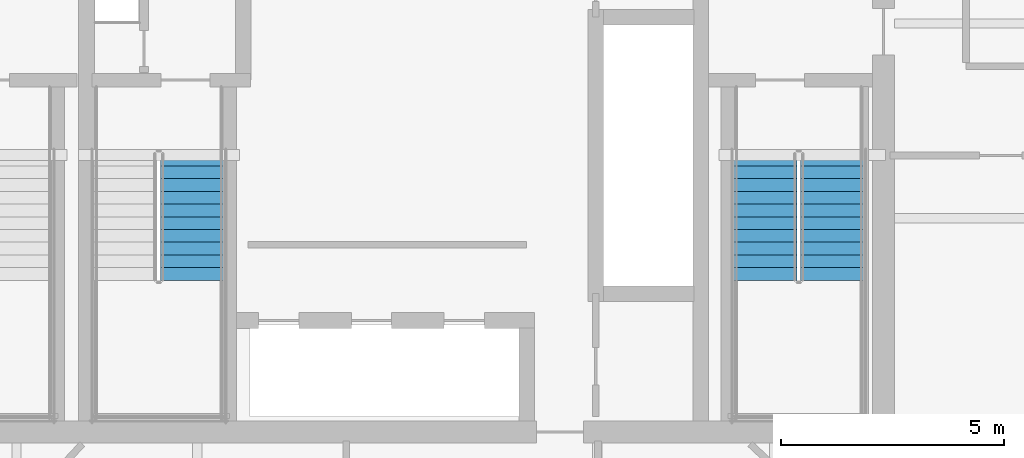
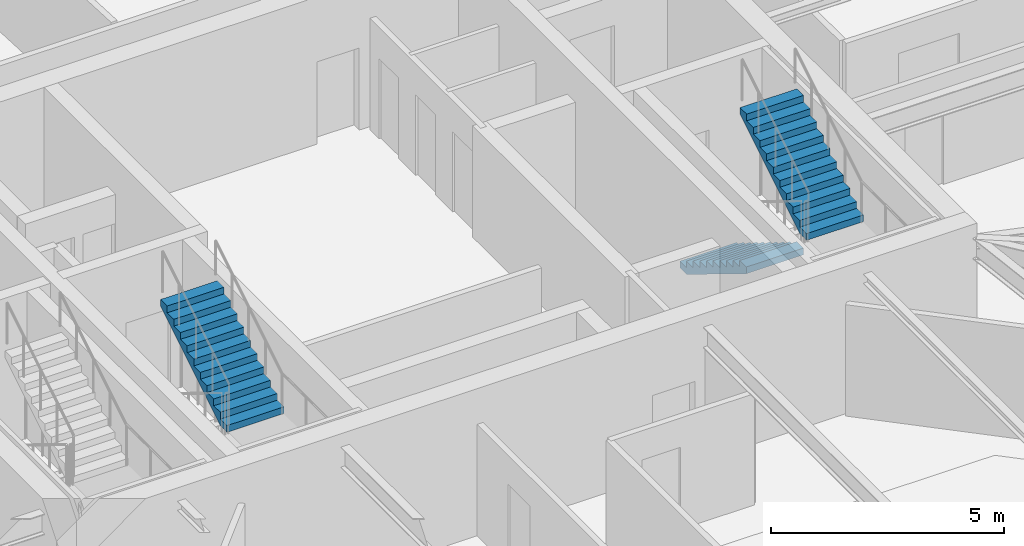
# One storey, part 15 of 18: 3 stair flights, 2 elements without a shape of their own.
"""IFC4 building model written with IfcOpenShell, lengths in metres."""

from ifc_helpers import new_model, si_unit, direction, frame, origin, place, context, subcontext, project, spatial, polyline, outline, extrude, material, type_object, element, aggregate, save


model = new_model("IFC4")

# Units and contexts
model_context = context("Model", 3, precision=1e-05, world=origin(), true_north=direction((0.0, 1.0)))
body_context = subcontext(model_context, "Body", "Model", "MODEL_VIEW")
ifc_project = project(units=[si_unit("LENGTHUNIT", "METRE"), si_unit("AREAUNIT", "SQUARE_METRE"), si_unit("VOLUMEUNIT", "CUBIC_METRE"), si_unit("PLANEANGLEUNIT", "RADIAN"), si_unit("MASSUNIT", "GRAM", prefix="KILO")], contexts=[model_context])

# Site, building, storey
site_placement = place(None, origin())
site = spatial("IfcSite", under=ifc_project, at=site_placement, CompositionType="ELEMENT")
building_placement = place(site_placement, origin())
building = spatial("IfcBuilding", under=site, at=building_placement, Name="Bramvorn Convention Spire", CompositionType="ELEMENT")
storey_placement = place(building_placement, frame((0.0, 0.0, 232.800048828125)))
storey = spatial("IfcBuildingStorey", under=building, at=storey_placement, Name="L59", CompositionType="ELEMENT", Elevation=232.800048828125)

# Stair, stair flights
ifc_material_1 = material(Name="Concrete C40/50 Precast Stair", Category="concrete")
stair_type = type_object("IfcStairType", Name="ST-TOWER-1550", PredefinedType="HALF_TURN_STAIR", material=ifc_material_1)
stair_1_placement = place(storey_placement, origin())
stair_1 = element("IfcStair", 1, at=stair_1_placement, inside=storey, type_object=stair_type, Name="L59 Protected Exit Stair ST2", PredefinedType="HALF_TURN_STAIR")
ifc_material_2 = material(Name="Concrete C40/50 Precast Stair Flight", Category="concrete")
stair_flight_type = type_object("IfcStairFlightType", Name="STF-TOWER-1550", PredefinedType="STRAIGHT", material=ifc_material_2)
stair_flight_1_placement = place(storey_placement, frame((46.35498046875, 25.050048828125, 0.0), z_axis=(0.0, 0.0, 1.0), x_axis=(0.0, -1.0, 0.0)))
stair_flight_1 = element("IfcStairFlight", 2, at=stair_flight_1_placement, type_object=stair_flight_type, Name="ST2 flight 1", NumberOfRisers=11, NumberOfTreads=10, PredefinedType="STRAIGHT", RiserHeight=0.175, TreadLength=0.285, context=body_context, shape_type="SweptSolid", body=[
    extrude(outline(polyline([(0.0, 0.0), (0.0, 0.175048828125), (0.284912109375, 0.175048828125), (0.284912109375, 0.35009765625), (0.570068359375, 0.35009765625), (0.570068359375, 0.52490234375), (0.85498046875, 0.52490234375), (0.85498046875, 0.699951171875), (1.139892578125, 0.699951171875), (1.139892578125, 0.875), (1.425048828125, 0.875), (1.425048828125, 1.050048828125), (1.7099609375, 1.050048828125), (1.7099609375, 1.22509765625), (1.9951171875, 1.22509765625), (1.9951171875, 1.39990234375), (2.280029296875, 1.39990234375), (2.280029296875, 1.574951171875), (2.56494140625, 1.574951171875), (2.56494140625, 1.75), (2.85009765625, 1.75), (2.85009765625, 1.925048828125), (2.85009765625, 1.573974609375), (0.286376953125, 0.0), (0.0, 0.0)])), frame((0.0, 0.705078125, 0.0), z_axis=(0.0, -1.0, 0.0), x_axis=(1.0, 0.0, 0.0)), (0.0, 0.0, 1.0), 1.409912109375),
])
stair_flight_2_placement = place(storey_placement, frame((47.844970703125, 22.199951171875, 1.925048828125), z_axis=(0.0, 0.0, 1.0), x_axis=(0.0, 1.0, 0.0)))
stair_flight_2 = element("IfcStairFlight", 3, at=stair_flight_2_placement, type_object=stair_flight_type, Name="ST2 flight 2", NumberOfRisers=11, NumberOfTreads=10, PredefinedType="STRAIGHT", RiserHeight=0.175, TreadLength=0.285, context=body_context, shape_type="SweptSolid", body=[
    extrude(outline(polyline([(0.0, 0.0), (0.0, 0.175048828125), (0.284912109375, 0.175048828125), (0.284912109375, 0.35009765625), (0.570068359375, 0.35009765625), (0.570068359375, 0.52490234375), (0.85498046875, 0.52490234375), (0.85498046875, 0.699951171875), (1.139892578125, 0.699951171875), (1.139892578125, 0.875), (1.425048828125, 0.875), (1.425048828125, 1.050048828125), (1.7099609375, 1.050048828125), (1.7099609375, 1.22509765625), (1.9951171875, 1.22509765625), (1.9951171875, 1.39990234375), (2.280029296875, 1.39990234375), (2.280029296875, 1.574951171875), (2.56494140625, 1.574951171875), (2.56494140625, 1.75), (2.85009765625, 1.75), (2.85009765625, 1.925048828125), (2.85009765625, 1.573974609375), (0.286376953125, 0.0), (0.0, 0.0)])), frame((0.0, 0.705078125, 0.0), z_axis=(0.0, -1.0, 0.0), x_axis=(1.0, 0.0, 0.0)), (0.0, 0.0, 1.0), 1.409912109375),
])
aggregate(stair_1, [stair_flight_1, stair_flight_2])

# Stair, stair flight
stair_2_placement = place(storey_placement, origin())
stair_2 = element("IfcStair", 4, at=stair_2_placement, inside=storey, type_object=stair_type, Name="L59 Protected Exit Stair ST3", PredefinedType="HALF_TURN_STAIR")
stair_flight_3_placement = place(storey_placement, frame((33.4951171875, 22.199951171875, 1.925048828125), z_axis=(0.0, 0.0, 1.0), x_axis=(0.0, 1.0, 0.0)))
stair_flight_3 = element("IfcStairFlight", 5, at=stair_flight_3_placement, type_object=stair_flight_type, Name="ST3 flight 2", NumberOfRisers=11, NumberOfTreads=10, PredefinedType="STRAIGHT", RiserHeight=0.175, TreadLength=0.285, context=body_context, shape_type="SweptSolid", body=[
    extrude(outline(polyline([(0.0, 0.0), (0.0, 0.175048828125), (0.284912109375, 0.175048828125), (0.284912109375, 0.35009765625), (0.570068359375, 0.35009765625), (0.570068359375, 0.52490234375), (0.85498046875, 0.52490234375), (0.85498046875, 0.699951171875), (1.139892578125, 0.699951171875), (1.139892578125, 0.875), (1.425048828125, 0.875), (1.425048828125, 1.050048828125), (1.7099609375, 1.050048828125), (1.7099609375, 1.22509765625), (1.9951171875, 1.22509765625), (1.9951171875, 1.39990234375), (2.280029296875, 1.39990234375), (2.280029296875, 1.574951171875), (2.56494140625, 1.574951171875), (2.56494140625, 1.75), (2.85009765625, 1.75), (2.85009765625, 1.925048828125), (2.85009765625, 1.573974609375), (0.286376953125, 0.0), (0.0, 0.0)])), frame((0.0, 0.705078125, 0.0), z_axis=(0.0, -1.0, 0.0), x_axis=(1.0, 0.0, 0.0)), (0.0, 0.0, 1.0), 1.409912109375),
])
aggregate(stair_2, [stair_flight_3])

save(model, "model.ifc")
